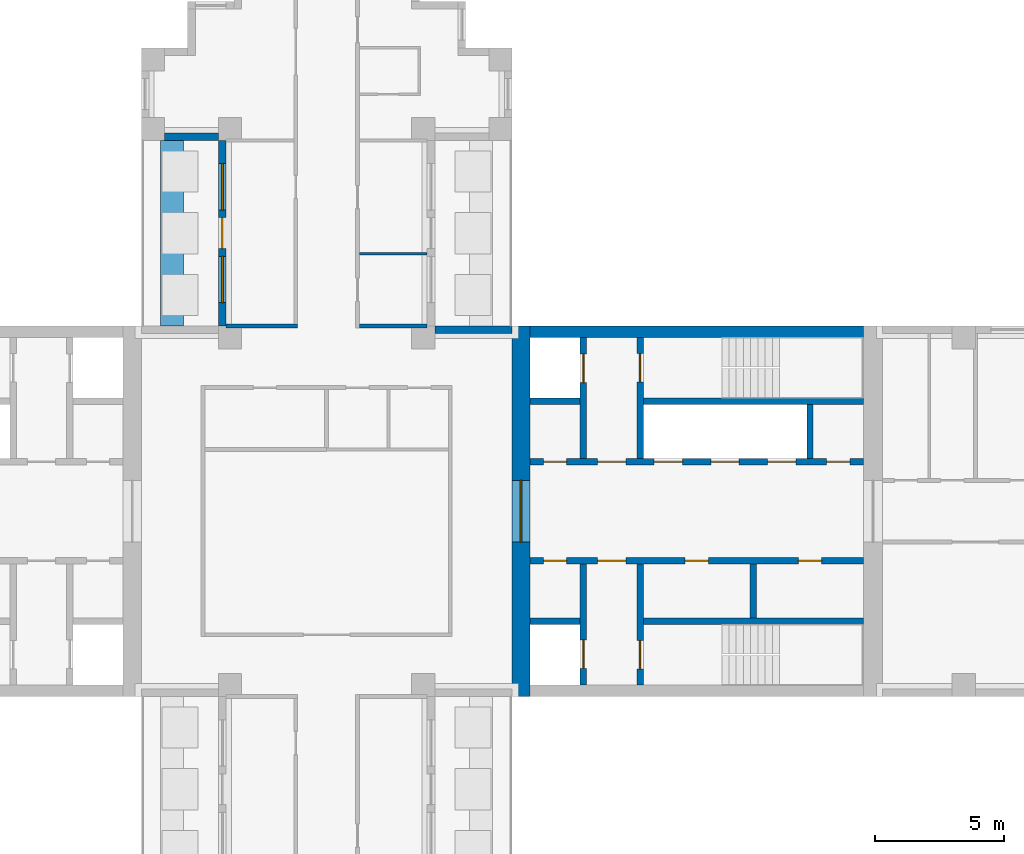
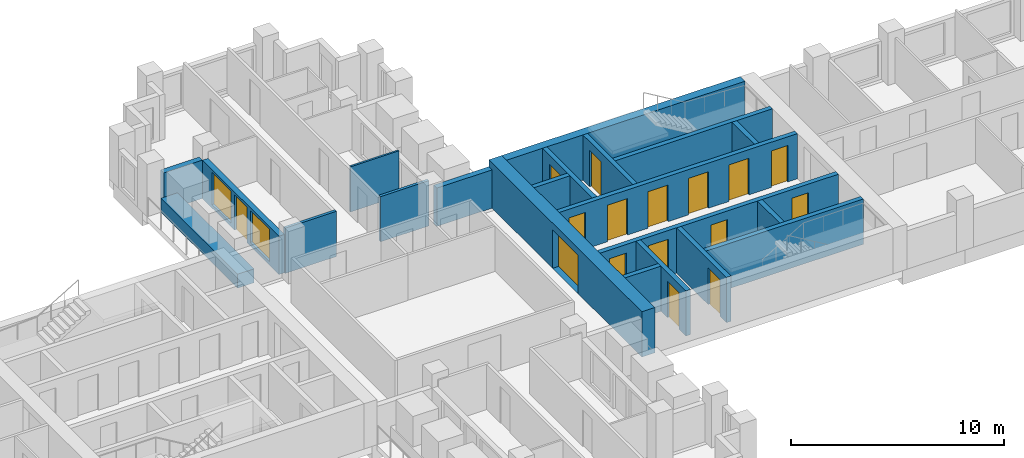
# One storey, part 6 of 11: 21 walls, 16 doors, 2 windows, 18 openings.
"""IFC4 building model written with IfcOpenShell, lengths in metres."""

from ifc_helpers import new_model, si_unit, direction, frame, frame_2d, origin, place, context, subcontext, project, spatial, rectangle, extrude, material, layer, layer_set, type_object, element, fill, save


model = new_model("IFC4")

# Units and contexts
model_context = context("Model", 3, precision=1e-05, world=origin(), true_north=direction((0.0, 1.0)))
body_context = subcontext(model_context, "Body", "Model", "MODEL_VIEW")
ifc_project = project(units=[si_unit("LENGTHUNIT", "METRE"), si_unit("AREAUNIT", "SQUARE_METRE"), si_unit("VOLUMEUNIT", "CUBIC_METRE"), si_unit("PLANEANGLEUNIT", "RADIAN"), si_unit("MASSUNIT", "GRAM", prefix="KILO")], contexts=[model_context])

# Site, building, storey
site_placement = place(None, origin())
site = spatial("IfcSite", under=ifc_project, at=site_placement, CompositionType="ELEMENT")
building_placement = place(site_placement, origin())
building = spatial("IfcBuilding", under=site, at=building_placement, Name="Fustian Cross Tower", CompositionType="ELEMENT")
storey_placement = place(building_placement, frame((0.0, 0.0, 144.300048828125)))
storey = spatial("IfcBuildingStorey", under=building, at=storey_placement, Name="L45", CompositionType="ELEMENT", Elevation=144.300048828125)

# Walls
ifc_material_1 = material(Name="Plasterboard on steel stud", Category="steel")
ifc_layer_1 = layer(ifc_material_1, 0.14990234375)
ifc_layer_set_1 = layer_set([ifc_layer_1], Name="Plasterboard on steel stud")
wall_type_1 = type_object("IfcWallType", Name="COMPARTMENT WALL 150 EI 60", PredefinedType="PARTITIONING", material=ifc_layer_set_1)
wall_1_placement = place(storey_placement, frame((-3.89990234375, 7.199951171875, 0.0), z_axis=(0.0, 0.0, 1.0), x_axis=(1.0, 0.0, 0.0)))
element("IfcWall", 1, at=wall_1_placement, inside=storey, type_object=wall_type_1, Name="Partition 18", PredefinedType="PARTITIONING", context=body_context, shape_type="SweptSolid", body=[
    extrude(rectangle(XDim=2.77490234375, YDim=0.14990234375, at=frame_2d((1.387451171875, 0.0))), origin(), (0.0, 0.0, 1.0), 2.599853515625),
])
wall_2_placement = place(storey_placement, frame((1.27490234375, 7.199951171875, 0.0), z_axis=(0.0, 0.0, 1.0), x_axis=(1.0, 0.0, 0.0)))
element("IfcWall", 2, at=wall_2_placement, inside=storey, type_object=wall_type_1, Name="Partition 28", PredefinedType="PARTITIONING", context=body_context, shape_type="SweptSolid", body=[
    extrude(rectangle(XDim=2.625, YDim=0.14990234375, at=frame_2d((1.3125, 0.0))), origin(), (0.0, 0.0, 1.0), 2.599853515625),
])

# Wall, opening, door
ifc_material_2 = material(Name="Concrete C60/75", Category="concrete")
ifc_layer_2 = layer(ifc_material_2, 0.699951171875)
ifc_layer_set_2 = layer_set([ifc_layer_2], Name="Concrete C60/75")
wall_type_2 = type_object("IfcWallType", Name="CORE END WALL 700 C60/75", PredefinedType="SHEAR", material=ifc_layer_set_2)
wall_3_placement = place(storey_placement, frame((7.550048828125, -7.199951171875, 0.0), z_axis=(0.0, 0.0, 1.0), x_axis=(0.0, 1.0, 0.0)))
wall_3 = element("IfcWall", 3, at=wall_3_placement, inside=storey, type_object=wall_type_2, Name="Core end wall", PredefinedType="SHEAR", context=body_context, shape_type="SweptSolid", body=[
    extrude(rectangle(XDim=14.39990234375, YDim=0.699951171875, at=frame_2d((7.199951171875, 0.0))), origin(), (0.0, 0.0, 1.0), 2.599853515625),
])
opening_1_placement = place(wall_3_placement, frame((6.0, 0.0, 0.0)))
opening_1 = element("IfcOpeningElement", 4, at=opening_1_placement, cuts=wall_3, Name="Opening CD-18-12", PredefinedType="OPENING", context=body_context, shape_type="SweptSolid", body=[
    extrude(rectangle(XDim=2.39990234375, YDim=2.199951171875, at=frame_2d((1.199951171875, 1.10009765625))), frame((0.0, 0.35986328125, 0.0), z_axis=(0.0, -1.0, 0.0), x_axis=(1.0, 0.0, 0.0)), (0.0, 0.0, 1.0), 0.719970703125),
])
ifc_material_3 = material(Name="Steel", Category="steel")
door_type_1 = type_object("IfcDoorType", Name="FIRE DOOR FD30S DOUBLE 2400X2200", OperationType="DOUBLE_DOOR_DOUBLE_SWING", PredefinedType="DOOR", material=ifc_material_3)
door_1_placement = place(opening_1_placement, origin())
door_1 = element("IfcDoor", 5, at=door_1_placement, inside=storey, type_object=door_type_1, Name="Core door CD-18-12", OperationType="DOUBLE_DOOR_DOUBLE_SWING", OverallHeight=2.199951171875, OverallWidth=2.39990234375, PredefinedType="DOOR", context=body_context, shape_type="SweptSolid", body=[
    extrude(rectangle(XDim=2.39990234375, YDim=2.199951171875, at=frame_2d((1.199951171875, 1.10009765625))), frame((0.0, 0.02490234375, 0.0), z_axis=(0.0, -1.0, 0.0), x_axis=(1.0, 0.0, 0.0)), (0.0, 0.0, 1.0), 0.050048828125),
])
fill(opening_1, door_1)

# Wall
ifc_material_4 = material(Name="Concrete C60/75", Category="concrete")
ifc_layer_3 = layer(ifc_material_4, 0.449951171875)
ifc_layer_set_3 = layer_set([ifc_layer_3], Name="Concrete C60/75")
wall_type_3 = type_object("IfcWallType", Name="CORE FACADE WALL 450 C60/75", PredefinedType="SHEAR", material=ifc_layer_set_3)
wall_4_placement = place(storey_placement, frame((7.89990234375, 6.97509765625, 0.0), z_axis=(0.0, 0.0, 1.0), x_axis=(1.0, 0.0, 0.0)))
element("IfcWall", 6, at=wall_4_placement, inside=storey, type_object=wall_type_3, Name="Core facade wall", PredefinedType="SHEAR", context=body_context, shape_type="SweptSolid", body=[
    extrude(rectangle(XDim=12.9501953125, YDim=0.449951171875, at=frame_2d((6.47509765625, 0.0))), origin(), (0.0, 0.0, 1.0), 2.599853515625),
])

# Wall, openings, doors
ifc_material_5 = material(Name="Concrete C50/60", Category="concrete")
ifc_layer_4 = layer(ifc_material_5, 0.25)
ifc_layer_set_4 = layer_set([ifc_layer_4], Name="Concrete C50/60")
wall_type_4 = type_object("IfcWallType", Name="CORE LOBBY WALL 250 C50/60", PredefinedType="SHEAR", material=ifc_layer_set_4)
wall_5_placement = place(storey_placement, frame((7.89990234375, 1.925048828125, 0.0), z_axis=(0.0, 0.0, 1.0), x_axis=(1.0, 0.0, 0.0)))
wall_5 = element("IfcWall", 7, at=wall_5_placement, inside=storey, type_object=wall_type_4, Name="Core lobby wall", PredefinedType="SHEAR", context=body_context, shape_type="SweptSolid", body=[
    extrude(rectangle(XDim=12.9501953125, YDim=0.25, at=frame_2d((6.47509765625, 0.0))), origin(), (0.0, 0.0, 1.0), 2.599853515625),
])
opening_2_placement = place(wall_5_placement, frame((4.824951171875, 0.0, 0.0)))
opening_2 = element("IfcOpeningElement", 8, at=opening_2_placement, cuts=wall_5, Name="Opening LD", PredefinedType="OPENING", context=body_context, shape_type="SweptSolid", body=[
    extrude(rectangle(XDim=1.10009765625, YDim=2.10009765625, at=frame_2d((0.550048828125, 1.050048828125))), frame((0.0, 0.135009765625, 0.0), z_axis=(0.0, -1.0, 0.0), x_axis=(1.0, 0.0, 0.0)), (0.0, 0.0, 1.0), 0.27001953125),
])
opening_3_placement = place(wall_5_placement, frame((7.02490234375, 0.0, 0.0)))
opening_3 = element("IfcOpeningElement", 9, at=opening_3_placement, cuts=wall_5, Name="Opening LD", PredefinedType="OPENING", context=body_context, shape_type="SweptSolid", body=[
    extrude(rectangle(XDim=1.10009765625, YDim=2.10009765625, at=frame_2d((0.550048828125, 1.050048828125))), frame((0.0, 0.135009765625, 0.0), z_axis=(0.0, -1.0, 0.0), x_axis=(1.0, 0.0, 0.0)), (0.0, 0.0, 1.0), 0.27001953125),
])
opening_4_placement = place(wall_5_placement, frame((9.22509765625, 0.0, 0.0)))
opening_4 = element("IfcOpeningElement", 10, at=opening_4_placement, cuts=wall_5, Name="Opening LD", PredefinedType="OPENING", context=body_context, shape_type="SweptSolid", body=[
    extrude(rectangle(XDim=1.10009765625, YDim=2.10009765625, at=frame_2d((0.550048828125, 1.050048828125))), frame((0.0, 0.135009765625, 0.0), z_axis=(0.0, -1.0, 0.0), x_axis=(1.0, 0.0, 0.0)), (0.0, 0.0, 1.0), 0.27001953125),
])
opening_5_placement = place(wall_5_placement, frame((0.52490234375, 0.0, 0.0)))
opening_5 = element("IfcOpeningElement", 11, at=opening_5_placement, cuts=wall_5, Name="Opening CD-18-08", PredefinedType="OPENING", context=body_context, shape_type="SweptSolid", body=[
    extrude(rectangle(XDim=0.89990234375, YDim=2.10009765625, at=frame_2d((0.449951171875, 1.050048828125))), frame((0.0, 0.135009765625, 0.0), z_axis=(0.0, -1.0, 0.0), x_axis=(1.0, 0.0, 0.0)), (0.0, 0.0, 1.0), 0.27001953125),
])
opening_6_placement = place(wall_5_placement, frame((2.625, 0.0, 0.0)))
opening_6 = element("IfcOpeningElement", 12, at=opening_6_placement, cuts=wall_5, Name="Opening CD-18-10", PredefinedType="OPENING", context=body_context, shape_type="SweptSolid", body=[
    extrude(rectangle(XDim=1.10009765625, YDim=2.10009765625, at=frame_2d((0.550048828125, 1.050048828125))), frame((0.0, 0.135009765625, 0.0), z_axis=(0.0, -1.0, 0.0), x_axis=(1.0, 0.0, 0.0)), (0.0, 0.0, 1.0), 0.27001953125),
])
opening_7_placement = place(wall_5_placement, frame((11.52490234375, 0.0, 0.0)))
opening_7 = element("IfcOpeningElement", 13, at=opening_7_placement, cuts=wall_5, Name="Opening CD-18-14", PredefinedType="OPENING", context=body_context, shape_type="SweptSolid", body=[
    extrude(rectangle(XDim=0.89990234375, YDim=2.10009765625, at=frame_2d((0.449951171875, 1.050048828125))), frame((0.0, 0.135009765625, 0.0), z_axis=(0.0, -1.0, 0.0), x_axis=(1.0, 0.0, 0.0)), (0.0, 0.0, 1.0), 0.27001953125),
])
ifc_material_6 = material(Name="Steel", Category="steel")
door_type_2 = type_object("IfcDoorType", Name="FIRE DOOR FD30S 900X2100", OperationType="SINGLE_SWING_LEFT", PredefinedType="DOOR", material=ifc_material_6)
door_2_placement = place(opening_7_placement, origin())
door_2 = element("IfcDoor", 14, at=door_2_placement, inside=storey, type_object=door_type_2, Name="Core door CD-18-14", OperationType="SINGLE_SWING_LEFT", OverallHeight=2.10009765625, OverallWidth=0.89990234375, PredefinedType="DOOR", context=body_context, shape_type="SweptSolid", body=[
    extrude(rectangle(XDim=0.89990234375, YDim=2.10009765625, at=frame_2d((0.449951171875, 1.050048828125))), frame((0.0, 0.02490234375, 0.0), z_axis=(0.0, -1.0, 0.0), x_axis=(1.0, 0.0, 0.0)), (0.0, 0.0, 1.0), 0.050048828125),
])
fill(opening_7, door_2)
ifc_material_7 = material(Name="Steel", Category="steel")
door_type_3 = type_object("IfcDoorType", Name="FIRE DOOR FD60S 1100X2100", OperationType="SINGLE_SWING_LEFT", PredefinedType="DOOR", material=ifc_material_7)
door_3_placement = place(opening_6_placement, frame((1.10009765625, 0.0, 0.0), z_axis=(0.0, 0.0, 1.0), x_axis=(-1.0, 0.0, 0.0)))
door_3 = element("IfcDoor", 15, at=door_3_placement, inside=storey, type_object=door_type_3, Name="Core door CD-18-10", OperationType="SINGLE_SWING_RIGHT", OverallHeight=2.10009765625, OverallWidth=1.10009765625, PredefinedType="DOOR", context=body_context, shape_type="SweptSolid", body=[
    extrude(rectangle(XDim=1.10009765625, YDim=2.10009765625, at=frame_2d((0.550048828125, 1.050048828125))), frame((0.0, 0.02490234375, 0.0), z_axis=(0.0, -1.0, 0.0), x_axis=(1.0, 0.0, 0.0)), (0.0, 0.0, 1.0), 0.050048828125),
])
fill(opening_6, door_3)
ifc_material_8 = material(Name="Steel", Category="steel")
door_type_4 = type_object("IfcDoorType", Name="FIRE DOOR FD60S 900X2100", OperationType="SINGLE_SWING_LEFT", PredefinedType="DOOR", material=ifc_material_8)
door_4_placement = place(opening_5_placement, origin())
door_4 = element("IfcDoor", 16, at=door_4_placement, inside=storey, type_object=door_type_4, Name="Core door CD-18-08", OperationType="SINGLE_SWING_LEFT", OverallHeight=2.10009765625, OverallWidth=0.89990234375, PredefinedType="DOOR", context=body_context, shape_type="SweptSolid", body=[
    extrude(rectangle(XDim=0.89990234375, YDim=2.10009765625, at=frame_2d((0.449951171875, 1.050048828125))), frame((0.0, 0.02490234375, 0.0), z_axis=(0.0, -1.0, 0.0), x_axis=(1.0, 0.0, 0.0)), (0.0, 0.0, 1.0), 0.050048828125),
])
fill(opening_5, door_4)
ifc_material_9 = material(Name="Stainless steel", Category="steel")
door_type_5 = type_object("IfcDoorType", Name="LIFT LANDING DOOR 1100X2100", OperationType="SLIDING_TO_LEFT", PredefinedType="DOOR", material=ifc_material_9)
door_5_placement = place(opening_2_placement, origin())
door_5 = element("IfcDoor", 17, at=door_5_placement, inside=storey, type_object=door_type_5, Name="Landing door HR1", OperationType="SLIDING_TO_LEFT", OverallHeight=2.10009765625, OverallWidth=1.10009765625, PredefinedType="DOOR", context=body_context, shape_type="SweptSolid", body=[
    extrude(rectangle(XDim=1.10009765625, YDim=2.10009765625, at=frame_2d((0.550048828125, 1.050048828125))), frame((0.0, 0.02490234375, 0.0), z_axis=(0.0, -1.0, 0.0), x_axis=(1.0, 0.0, 0.0)), (0.0, 0.0, 1.0), 0.050048828125),
])
fill(opening_2, door_5)
door_6_placement = place(opening_3_placement, origin())
door_6 = element("IfcDoor", 18, at=door_6_placement, inside=storey, type_object=door_type_5, Name="Landing door HR2", OperationType="SLIDING_TO_LEFT", OverallHeight=2.10009765625, OverallWidth=1.10009765625, PredefinedType="DOOR", context=body_context, shape_type="SweptSolid", body=[
    extrude(rectangle(XDim=1.10009765625, YDim=2.10009765625, at=frame_2d((0.550048828125, 1.050048828125))), frame((0.0, 0.02490234375, 0.0), z_axis=(0.0, -1.0, 0.0), x_axis=(1.0, 0.0, 0.0)), (0.0, 0.0, 1.0), 0.050048828125),
])
fill(opening_3, door_6)
door_7_placement = place(opening_4_placement, origin())
door_7 = element("IfcDoor", 19, at=door_7_placement, inside=storey, type_object=door_type_5, Name="Landing door HR3", OperationType="SLIDING_TO_LEFT", OverallHeight=2.10009765625, OverallWidth=1.10009765625, PredefinedType="DOOR", context=body_context, shape_type="SweptSolid", body=[
    extrude(rectangle(XDim=1.10009765625, YDim=2.10009765625, at=frame_2d((0.550048828125, 1.050048828125))), frame((0.0, 0.02490234375, 0.0), z_axis=(0.0, -1.0, 0.0), x_axis=(1.0, 0.0, 0.0)), (0.0, 0.0, 1.0), 0.050048828125),
])
fill(opening_4, door_7)

wall_6_placement = place(storey_placement, frame((7.89990234375, -1.925048828125, 0.0), z_axis=(0.0, 0.0, 1.0), x_axis=(1.0, 0.0, 0.0)))
wall_6 = element("IfcWall", 20, at=wall_6_placement, inside=storey, type_object=wall_type_4, Name="Core lobby wall", PredefinedType="SHEAR", context=body_context, shape_type="SweptSolid", body=[
    extrude(rectangle(XDim=12.9501953125, YDim=0.25, at=frame_2d((6.47509765625, 0.0))), origin(), (0.0, 0.0, 1.0), 2.599853515625),
])
opening_8_placement = place(wall_6_placement, frame((0.52490234375, 0.0, 0.0)))
opening_8 = element("IfcOpeningElement", 21, at=opening_8_placement, cuts=wall_6, Name="Opening CD-18-09", PredefinedType="OPENING", context=body_context, shape_type="SweptSolid", body=[
    extrude(rectangle(XDim=0.89990234375, YDim=2.10009765625, at=frame_2d((0.449951171875, 1.050048828125))), frame((0.0, 0.135009765625, 0.0), z_axis=(0.0, -1.0, 0.0), x_axis=(1.0, 0.0, 0.0)), (0.0, 0.0, 1.0), 0.27001953125),
])
opening_9_placement = place(wall_6_placement, frame((2.625, 0.0, 0.0)))
opening_9 = element("IfcOpeningElement", 22, at=opening_9_placement, cuts=wall_6, Name="Opening CD-18-11", PredefinedType="OPENING", context=body_context, shape_type="SweptSolid", body=[
    extrude(rectangle(XDim=1.10009765625, YDim=2.10009765625, at=frame_2d((0.550048828125, 1.050048828125))), frame((0.0, 0.135009765625, 0.0), z_axis=(0.0, -1.0, 0.0), x_axis=(1.0, 0.0, 0.0)), (0.0, 0.0, 1.0), 0.27001953125),
])
opening_10_placement = place(wall_6_placement, frame((6.02490234375, 0.0, 0.0)))
opening_10 = element("IfcOpeningElement", 23, at=opening_10_placement, cuts=wall_6, Name="Opening CD-18-15", PredefinedType="OPENING", context=body_context, shape_type="SweptSolid", body=[
    extrude(rectangle(XDim=0.89990234375, YDim=2.10009765625, at=frame_2d((0.449951171875, 1.050048828125))), frame((0.0, 0.135009765625, 0.0), z_axis=(0.0, -1.0, 0.0), x_axis=(1.0, 0.0, 0.0)), (0.0, 0.0, 1.0), 0.27001953125),
])
opening_11_placement = place(wall_6_placement, frame((10.425048828125, 0.0, 0.0)))
opening_11 = element("IfcOpeningElement", 24, at=opening_11_placement, cuts=wall_6, Name="Opening CD-18-16", PredefinedType="OPENING", context=body_context, shape_type="SweptSolid", body=[
    extrude(rectangle(XDim=0.89990234375, YDim=2.10009765625, at=frame_2d((0.449951171875, 1.050048828125))), frame((0.0, 0.135009765625, 0.0), z_axis=(0.0, -1.0, 0.0), x_axis=(1.0, 0.0, 0.0)), (0.0, 0.0, 1.0), 0.27001953125),
])
ifc_material_10 = material(Name="Steel", Category="steel")
door_type_6 = type_object("IfcDoorType", Name="FIRE DOOR FD30S 1100X2100", OperationType="SINGLE_SWING_LEFT", PredefinedType="DOOR", material=ifc_material_10)
door_8_placement = place(opening_9_placement, frame((1.10009765625, 0.0, 0.0), z_axis=(0.0, 0.0, 1.0), x_axis=(-1.0, 0.0, 0.0)))
door_8 = element("IfcDoor", 25, at=door_8_placement, inside=storey, type_object=door_type_6, Name="Core door CD-18-11", OperationType="SINGLE_SWING_RIGHT", OverallHeight=2.10009765625, OverallWidth=1.10009765625, PredefinedType="DOOR", context=body_context, shape_type="SweptSolid", body=[
    extrude(rectangle(XDim=1.10009765625, YDim=2.10009765625, at=frame_2d((0.550048828125, 1.050048828125))), frame((0.0, 0.02490234375, 0.0), z_axis=(0.0, -1.0, 0.0), x_axis=(1.0, 0.0, 0.0)), (0.0, 0.0, 1.0), 0.050048828125),
])
fill(opening_9, door_8)
door_9_placement = place(opening_8_placement, frame((0.89990234375, 0.0, 0.0), z_axis=(0.0, 0.0, 1.0), x_axis=(-1.0, 0.0, 0.0)))
door_9 = element("IfcDoor", 26, at=door_9_placement, inside=storey, type_object=door_type_2, Name="Core door CD-18-09", OperationType="SINGLE_SWING_RIGHT", OverallHeight=2.10009765625, OverallWidth=0.89990234375, PredefinedType="DOOR", context=body_context, shape_type="SweptSolid", body=[
    extrude(rectangle(XDim=0.89990234375, YDim=2.10009765625, at=frame_2d((0.449951171875, 1.050048828125))), frame((0.0, 0.02490234375, 0.0), z_axis=(0.0, -1.0, 0.0), x_axis=(1.0, 0.0, 0.0)), (0.0, 0.0, 1.0), 0.050048828125),
])
fill(opening_8, door_9)
door_10_placement = place(opening_10_placement, frame((0.89990234375, 0.0, 0.0), z_axis=(0.0, 0.0, 1.0), x_axis=(-1.0, 0.0, 0.0)))
door_10 = element("IfcDoor", 27, at=door_10_placement, inside=storey, type_object=door_type_2, Name="Core door CD-18-15", OperationType="SINGLE_SWING_LEFT", OverallHeight=2.10009765625, OverallWidth=0.89990234375, PredefinedType="DOOR", context=body_context, shape_type="SweptSolid", body=[
    extrude(rectangle(XDim=0.89990234375, YDim=2.10009765625, at=frame_2d((0.449951171875, 1.050048828125))), frame((0.0, 0.02490234375, 0.0), z_axis=(0.0, -1.0, 0.0), x_axis=(1.0, 0.0, 0.0)), (0.0, 0.0, 1.0), 0.050048828125),
])
fill(opening_10, door_10)
door_11_placement = place(opening_11_placement, frame((0.89990234375, 0.0, 0.0), z_axis=(0.0, 0.0, 1.0), x_axis=(-1.0, 0.0, 0.0)))
door_11 = element("IfcDoor", 28, at=door_11_placement, inside=storey, type_object=door_type_2, Name="Core door CD-18-16", OperationType="SINGLE_SWING_LEFT", OverallHeight=2.10009765625, OverallWidth=0.89990234375, PredefinedType="DOOR", context=body_context, shape_type="SweptSolid", body=[
    extrude(rectangle(XDim=0.89990234375, YDim=2.10009765625, at=frame_2d((0.449951171875, 1.050048828125))), frame((0.0, 0.02490234375, 0.0), z_axis=(0.0, -1.0, 0.0), x_axis=(1.0, 0.0, 0.0)), (0.0, 0.0, 1.0), 0.050048828125),
])
fill(opening_11, door_11)

# Walls
ifc_material_11 = material(Name="Concrete C50/60", Category="concrete")
ifc_layer_5 = layer(ifc_material_11, 0.25)
ifc_layer_set_5 = layer_set([ifc_layer_5], Name="Concrete C50/60")
wall_type_5 = type_object("IfcWallType", Name="CORE SHAFT WALL 250 C50/60", PredefinedType="SHEAR", material=ifc_layer_set_5)
wall_7_placement = place(storey_placement, frame((7.89990234375, 4.27490234375, 0.0), z_axis=(0.0, 0.0, 1.0), x_axis=(1.0, 0.0, 0.0)))
element("IfcWall", 29, at=wall_7_placement, inside=storey, type_object=wall_type_5, Name="Core shaft wall", PredefinedType="SHEAR", context=body_context, shape_type="SweptSolid", body=[
    extrude(rectangle(XDim=1.9501953125, YDim=0.25, at=frame_2d((0.97509765625, 0.0))), origin(), (0.0, 0.0, 1.0), 2.599853515625),
])
wall_8_placement = place(storey_placement, frame((12.300048828125, 4.27490234375, 0.0), z_axis=(0.0, 0.0, 1.0), x_axis=(1.0, 0.0, 0.0)))
element("IfcWall", 30, at=wall_8_placement, inside=storey, type_object=wall_type_5, Name="Core shaft wall", PredefinedType="SHEAR", context=body_context, shape_type="SweptSolid", body=[
    extrude(rectangle(XDim=8.550048828125, YDim=0.25, at=frame_2d((4.27490234375, 0.0))), origin(), (0.0, 0.0, 1.0), 2.599853515625),
])

# Wall, opening, door
wall_9_placement = place(storey_placement, frame((9.97509765625, 2.050048828125, 0.0), z_axis=(0.0, 0.0, 1.0), x_axis=(0.0, 1.0, 0.0)))
wall_9 = element("IfcWall", 31, at=wall_9_placement, inside=storey, type_object=wall_type_5, Name="Core shaft wall", PredefinedType="SHEAR", context=body_context, shape_type="SweptSolid", body=[
    extrude(rectangle(XDim=4.699951171875, YDim=0.25, at=frame_2d((2.35009765625, 0.0))), origin(), (0.0, 0.0, 1.0), 2.599853515625),
])
opening_12_placement = place(wall_9_placement, frame((2.949951171875, 0.0, 0.0)))
opening_12 = element("IfcOpeningElement", 32, at=opening_12_placement, cuts=wall_9, Name="Opening LD", PredefinedType="OPENING", context=body_context, shape_type="SweptSolid", body=[
    extrude(rectangle(XDim=1.10009765625, YDim=2.10009765625, at=frame_2d((0.550048828125, 1.050048828125))), frame((0.0, 0.135009765625, 0.0), z_axis=(0.0, -1.0, 0.0), x_axis=(1.0, 0.0, 0.0)), (0.0, 0.0, 1.0), 0.27001953125),
])
door_12_placement = place(opening_12_placement, origin())
door_12 = element("IfcDoor", 33, at=door_12_placement, inside=storey, type_object=door_type_5, Name="Landing door FL1", OperationType="SLIDING_TO_LEFT", OverallHeight=2.10009765625, OverallWidth=1.10009765625, PredefinedType="DOOR", context=body_context, shape_type="SweptSolid", body=[
    extrude(rectangle(XDim=1.10009765625, YDim=2.10009765625, at=frame_2d((0.550048828125, 1.050048828125))), frame((0.0, 0.02490234375, 0.0), z_axis=(0.0, -1.0, 0.0), x_axis=(1.0, 0.0, 0.0)), (0.0, 0.0, 1.0), 0.050048828125),
])
fill(opening_12, door_12)

wall_10_placement = place(storey_placement, frame((12.175048828125, 2.050048828125, 0.0), z_axis=(0.0, 0.0, 1.0), x_axis=(0.0, 1.0, 0.0)))
wall_10 = element("IfcWall", 34, at=wall_10_placement, inside=storey, type_object=wall_type_5, Name="Core shaft wall", PredefinedType="SHEAR", context=body_context, shape_type="SweptSolid", body=[
    extrude(rectangle(XDim=4.699951171875, YDim=0.25, at=frame_2d((2.35009765625, 0.0))), origin(), (0.0, 0.0, 1.0), 2.599853515625),
])
opening_13_placement = place(wall_10_placement, frame((2.97509765625, 0.0, 0.0)))
opening_13 = element("IfcOpeningElement", 35, at=opening_13_placement, cuts=wall_10, Name="Opening CD-18-06", PredefinedType="OPENING", context=body_context, shape_type="SweptSolid", body=[
    extrude(rectangle(XDim=1.10009765625, YDim=2.10009765625, at=frame_2d((0.550048828125, 1.050048828125))), frame((0.0, 0.135009765625, 0.0), z_axis=(0.0, -1.0, 0.0), x_axis=(1.0, 0.0, 0.0)), (0.0, 0.0, 1.0), 0.27001953125),
])
door_13_placement = place(opening_13_placement, frame((1.10009765625, 0.0, 0.0), z_axis=(0.0, 0.0, 1.0), x_axis=(-1.0, 0.0, 0.0)))
door_13 = element("IfcDoor", 36, at=door_13_placement, inside=storey, type_object=door_type_3, Name="Core door CD-18-06", OperationType="SINGLE_SWING_RIGHT", OverallHeight=2.10009765625, OverallWidth=1.10009765625, PredefinedType="DOOR", context=body_context, shape_type="SweptSolid", body=[
    extrude(rectangle(XDim=1.10009765625, YDim=2.10009765625, at=frame_2d((0.550048828125, 1.050048828125))), frame((0.0, 0.02490234375, 0.0), z_axis=(0.0, -1.0, 0.0), x_axis=(1.0, 0.0, 0.0)), (0.0, 0.0, 1.0), 0.050048828125),
])
fill(opening_13, door_13)

# Walls
wall_11_placement = place(storey_placement, frame((7.89990234375, -4.27490234375, 0.0), z_axis=(0.0, 0.0, 1.0), x_axis=(1.0, 0.0, 0.0)))
element("IfcWall", 37, at=wall_11_placement, inside=storey, type_object=wall_type_5, Name="Core shaft wall", PredefinedType="SHEAR", context=body_context, shape_type="SweptSolid", body=[
    extrude(rectangle(XDim=1.9501953125, YDim=0.25, at=frame_2d((0.97509765625, 0.0))), origin(), (0.0, 0.0, 1.0), 2.599853515625),
])
wall_12_placement = place(storey_placement, frame((12.300048828125, -4.27490234375, 0.0), z_axis=(0.0, 0.0, 1.0), x_axis=(1.0, 0.0, 0.0)))
element("IfcWall", 38, at=wall_12_placement, inside=storey, type_object=wall_type_5, Name="Core shaft wall", PredefinedType="SHEAR", context=body_context, shape_type="SweptSolid", body=[
    extrude(rectangle(XDim=8.550048828125, YDim=0.25, at=frame_2d((4.27490234375, 0.0))), origin(), (0.0, 0.0, 1.0), 2.599853515625),
])

# Wall, opening, door
wall_13_placement = place(storey_placement, frame((9.97509765625, -2.050048828125, 0.0), z_axis=(0.0, 0.0, 1.0), x_axis=(0.0, -1.0, 0.0)))
wall_13 = element("IfcWall", 39, at=wall_13_placement, inside=storey, type_object=wall_type_5, Name="Core shaft wall", PredefinedType="SHEAR", context=body_context, shape_type="SweptSolid", body=[
    extrude(rectangle(XDim=4.699951171875, YDim=0.25, at=frame_2d((2.35009765625, 0.0))), origin(), (0.0, 0.0, 1.0), 2.599853515625),
])
opening_14_placement = place(wall_13_placement, frame((2.949951171875, 0.0, 0.0)))
opening_14 = element("IfcOpeningElement", 40, at=opening_14_placement, cuts=wall_13, Name="Opening LD", PredefinedType="OPENING", context=body_context, shape_type="SweptSolid", body=[
    extrude(rectangle(XDim=1.10009765625, YDim=2.10009765625, at=frame_2d((0.550048828125, 1.050048828125))), frame((0.0, 0.135009765625, 0.0), z_axis=(0.0, -1.0, 0.0), x_axis=(1.0, 0.0, 0.0)), (0.0, 0.0, 1.0), 0.27001953125),
])
door_14_placement = place(opening_14_placement, origin())
door_14 = element("IfcDoor", 41, at=door_14_placement, inside=storey, type_object=door_type_5, Name="Landing door SV1", OperationType="SLIDING_TO_LEFT", OverallHeight=2.10009765625, OverallWidth=1.10009765625, PredefinedType="DOOR", context=body_context, shape_type="SweptSolid", body=[
    extrude(rectangle(XDim=1.10009765625, YDim=2.10009765625, at=frame_2d((0.550048828125, 1.050048828125))), frame((0.0, 0.02490234375, 0.0), z_axis=(0.0, -1.0, 0.0), x_axis=(1.0, 0.0, 0.0)), (0.0, 0.0, 1.0), 0.050048828125),
])
fill(opening_14, door_14)

wall_14_placement = place(storey_placement, frame((12.175048828125, -2.050048828125, 0.0), z_axis=(0.0, 0.0, 1.0), x_axis=(0.0, -1.0, 0.0)))
wall_14 = element("IfcWall", 42, at=wall_14_placement, inside=storey, type_object=wall_type_5, Name="Core shaft wall", PredefinedType="SHEAR", context=body_context, shape_type="SweptSolid", body=[
    extrude(rectangle(XDim=4.699951171875, YDim=0.25, at=frame_2d((2.35009765625, 0.0))), origin(), (0.0, 0.0, 1.0), 2.599853515625),
])
opening_15_placement = place(wall_14_placement, frame((2.97509765625, 0.0, 0.0)))
opening_15 = element("IfcOpeningElement", 43, at=opening_15_placement, cuts=wall_14, Name="Opening CD-18-07", PredefinedType="OPENING", context=body_context, shape_type="SweptSolid", body=[
    extrude(rectangle(XDim=1.10009765625, YDim=2.10009765625, at=frame_2d((0.550048828125, 1.050048828125))), frame((0.0, 0.135009765625, 0.0), z_axis=(0.0, -1.0, 0.0), x_axis=(1.0, 0.0, 0.0)), (0.0, 0.0, 1.0), 0.27001953125),
])
door_15_placement = place(opening_15_placement, origin())
door_15 = element("IfcDoor", 44, at=door_15_placement, inside=storey, type_object=door_type_3, Name="Core door CD-18-07", OperationType="SINGLE_SWING_LEFT", OverallHeight=2.10009765625, OverallWidth=1.10009765625, PredefinedType="DOOR", context=body_context, shape_type="SweptSolid", body=[
    extrude(rectangle(XDim=1.10009765625, YDim=2.10009765625, at=frame_2d((0.550048828125, 1.050048828125))), frame((0.0, 0.02490234375, 0.0), z_axis=(0.0, -1.0, 0.0), x_axis=(1.0, 0.0, 0.0)), (0.0, 0.0, 1.0), 0.050048828125),
])
fill(opening_15, door_15)

# Walls
ifc_material_12 = material(Name="Plasterboard on steel stud", Category="steel")
ifc_layer_6 = layer(ifc_material_12, 0.10009765625)
ifc_layer_set_6 = layer_set([ifc_layer_6], Name="Plasterboard on steel stud")
wall_type_6 = type_object("IfcWallType", Name="PARTITION 100 STUD", PredefinedType="PARTITIONING", material=ifc_layer_set_6)
wall_15_placement = place(storey_placement, frame((1.27490234375, 10.0, 0.0), z_axis=(0.0, 0.0, 1.0), x_axis=(1.0, 0.0, 0.0)))
element("IfcWall", 45, at=wall_15_placement, inside=storey, type_object=wall_type_6, Name="Partition 29", PredefinedType="PARTITIONING", context=body_context, shape_type="SweptSolid", body=[
    extrude(rectangle(XDim=2.625, YDim=0.10009765625, at=frame_2d((1.3125, 0.0))), origin(), (0.0, 0.0, 1.0), 2.599853515625),
])
ifc_material_13 = material(Name="Concrete C40/50", Category="concrete")
ifc_layer_7 = layer(ifc_material_13, 0.89990234375)
ifc_layer_set_7 = layer_set([ifc_layer_7], Name="Concrete C40/50")
wall_type_7 = type_object("IfcWallType", Name="PK1 PLANTER 900", PredefinedType="PARAPET", material=ifc_layer_set_7)
wall_16_placement = place(storey_placement, frame((-6.0, 7.199951171875, 0.0), z_axis=(0.0, 0.0, 1.0), x_axis=(0.0, 1.0, 0.0)))
element("IfcWall", 46, at=wall_16_placement, inside=storey, type_object=wall_type_7, Name="PLANTER", PredefinedType="PARAPET", context=body_context, shape_type="SweptSolid", body=[
    extrude(rectangle(XDim=7.199951171875, YDim=0.89990234375, at=frame_2d((3.60009765625, 0.0))), origin(), (0.0, 0.0, 1.0), 0.800048828125),
])
ifc_material_14 = material(Name="Concrete C40/50", Category="concrete")
ifc_layer_8 = layer(ifc_material_14, 0.25)
ifc_layer_set_8 = layer_set([ifc_layer_8], Name="Concrete C40/50")
wall_type_8 = type_object("IfcWallType", Name="SHAFT PARTITION WALL 250 C40/50", PredefinedType="PARTITIONING", material=ifc_layer_set_8)
for number, where, z_axis, x_axis, name in (
    (47, (18.77490234375, 2.050048828125, 0.0), (0.0, 0.0, 1.0), (0.0, 1.0, 0.0), "Core shaft wall"),
    (48, (16.574951171875, -2.050048828125, 0.0), (0.0, 0.0, 1.0), (0.0, -1.0, 0.0), "Core shaft wall"),
):
    element("IfcWall", number, at=place(storey_placement, frame(where, z_axis=z_axis, x_axis=x_axis)), inside=storey, type_object=wall_type_8, Name=name, PredefinedType="PARTITIONING", context=body_context, shape_type="SweptSolid", body=[
        extrude(rectangle(XDim=2.099853515625, YDim=0.25, at=frame_2d((1.0498046875, 0.0))), origin(), (0.0, 0.0, 1.0), 2.599853515625),
    ])
ifc_material_15 = material(Name="Dark aluminium cladding on insulated backing wall", Category="aluminium")
ifc_layer_9 = layer(ifc_material_15, 0.300048828125)
ifc_layer_set_9 = layer_set([ifc_layer_9], Name="Dark aluminium cladding on insulated backing wall")
wall_type_9 = type_object("IfcWallType", Name="XW1 EXTERNAL WALL 300", PredefinedType="SOLIDWALL", material=ifc_layer_set_9)
wall_17_placement = place(storey_placement, frame((7.199951171875, 7.050048828125, 0.0), z_axis=(0.0, 0.0, 1.0), x_axis=(-1.0, 0.0, 0.0)))
element("IfcWall", 49, at=wall_17_placement, inside=storey, type_object=wall_type_9, Name="External wall", PredefinedType="SOLIDWALL", context=body_context, shape_type="SweptSolid", body=[
    extrude(rectangle(XDim=3.0, YDim=0.300048828125, at=frame_2d((1.5, 0.0))), origin(), (0.0, 0.0, 1.0), 2.199951171875),
])
wall_18_placement = place(storey_placement, frame((-6.300048828125, 14.550048828125, 0.0), z_axis=(0.0, 0.0, 1.0), x_axis=(1.0, 0.0, 0.0)))
element("IfcWall", 50, at=wall_18_placement, inside=storey, type_object=wall_type_9, Name="External wall", PredefinedType="SOLIDWALL", context=body_context, shape_type="SweptSolid", body=[
    extrude(rectangle(XDim=2.10009765625, YDim=0.300048828125, at=frame_2d((1.050048828125, 0.0))), origin(), (0.0, 0.0, 1.0), 2.199951171875),
])

# Wall, openings, door, windows
wall_19_placement = place(storey_placement, frame((-4.050048828125, 14.39990234375, 0.0), z_axis=(0.0, 0.0, 1.0), x_axis=(0.0, -1.0, 0.0)))
wall_19 = element("IfcWall", 51, at=wall_19_placement, inside=storey, type_object=wall_type_9, Name="External wall", PredefinedType="SOLIDWALL", context=body_context, shape_type="SweptSolid", body=[
    extrude(rectangle(XDim=7.199951171875, YDim=0.300048828125, at=frame_2d((3.60009765625, 0.0))), origin(), (0.0, 0.0, 1.0), 2.199951171875),
])
opening_16_placement = place(wall_19_placement, frame((3.0, 0.0, 0.0)))
opening_16 = element("IfcOpeningElement", 52, at=opening_16_placement, cuts=wall_19, Name="Opening XD2", PredefinedType="OPENING", context=body_context, shape_type="SweptSolid", body=[
    extrude(rectangle(XDim=1.199951171875, YDim=2.050048828125, at=frame_2d((0.60009765625, 1.02490234375))), frame((0.0, 0.159912109375, 0.0), z_axis=(0.0, -1.0, 0.0), x_axis=(1.0, 0.0, 0.0)), (0.0, 0.0, 1.0), 0.320068359375),
])
opening_17_placement = place(wall_19_placement, frame((0.89990234375, 0.0, 0.199951171875)))
opening_17 = element("IfcOpeningElement", 53, at=opening_17_placement, cuts=wall_19, Name="Opening WN2", PredefinedType="OPENING", context=body_context, shape_type="SweptSolid", body=[
    extrude(rectangle(XDim=1.800048828125, YDim=1.85009765625, at=frame_2d((0.89990234375, 0.925048828125))), frame((0.0, 0.159912109375, 0.0), z_axis=(0.0, -1.0, 0.0), x_axis=(1.0, 0.0, 0.0)), (0.0, 0.0, 1.0), 0.320068359375),
])
opening_18_placement = place(wall_19_placement, frame((4.5, 0.0, 0.199951171875)))
opening_18 = element("IfcOpeningElement", 54, at=opening_18_placement, cuts=wall_19, Name="Opening WN2", PredefinedType="OPENING", context=body_context, shape_type="SweptSolid", body=[
    extrude(rectangle(XDim=1.800048828125, YDim=1.85009765625, at=frame_2d((0.89990234375, 0.925048828125))), frame((0.0, 0.159912109375, 0.0), z_axis=(0.0, -1.0, 0.0), x_axis=(1.0, 0.0, 0.0)), (0.0, 0.0, 1.0), 0.320068359375),
])
ifc_material_16 = material(Name="Dark anodised aluminium and double glazing", Category="aluminium")
door_type_7 = type_object("IfcDoorType", Name="ED1 BALCONY DOOR 1200X2050", OperationType="SINGLE_SWING_LEFT", PredefinedType="DOOR", material=ifc_material_16)
door_16_placement = place(opening_16_placement, origin())
door_16 = element("IfcDoor", 55, at=door_16_placement, inside=storey, type_object=door_type_7, Name="Balcony door", OperationType="SINGLE_SWING_LEFT", OverallHeight=2.050048828125, OverallWidth=1.199951171875, PredefinedType="DOOR", context=body_context, shape_type="SweptSolid", body=[
    extrude(rectangle(XDim=1.199951171875, YDim=2.050048828125, at=frame_2d((0.60009765625, 1.02490234375))), frame((0.0, 0.02490234375, 0.0), z_axis=(0.0, -1.0, 0.0), x_axis=(1.0, 0.0, 0.0)), (0.0, 0.0, 1.0), 0.050048828125),
])
fill(opening_16, door_16)
ifc_material_17 = material(Name="Dark anodised aluminium and double glazing", Category="aluminium")
window_type = type_object("IfcWindowType", Name="WN2 WINDOW 1800X1850", PartitioningType="SINGLE_PANEL", PredefinedType="WINDOW", material=ifc_material_17)
window_1_placement = place(opening_17_placement, origin())
window_1 = element("IfcWindow", 56, at=window_1_placement, inside=storey, type_object=window_type, Name="Window", OverallHeight=1.85009765625, OverallWidth=1.800048828125, PartitioningType="SINGLE_PANEL", PredefinedType="WINDOW", context=body_context, shape_type="SweptSolid", body=[
    extrude(rectangle(XDim=1.800048828125, YDim=1.85009765625, at=frame_2d((0.89990234375, 0.925048828125))), frame((0.0, 0.030029296875, 0.0), z_axis=(0.0, -1.0, 0.0), x_axis=(1.0, 0.0, 0.0)), (0.0, 0.0, 1.0), 0.06005859375),
])
fill(opening_17, window_1)
window_2_placement = place(opening_18_placement, origin())
window_2 = element("IfcWindow", 57, at=window_2_placement, inside=storey, type_object=window_type, Name="Window", OverallHeight=1.85009765625, OverallWidth=1.800048828125, PartitioningType="SINGLE_PANEL", PredefinedType="WINDOW", context=body_context, shape_type="SweptSolid", body=[
    extrude(rectangle(XDim=1.800048828125, YDim=1.85009765625, at=frame_2d((0.89990234375, 0.925048828125))), frame((0.0, 0.030029296875, 0.0), z_axis=(0.0, -1.0, 0.0), x_axis=(1.0, 0.0, 0.0)), (0.0, 0.0, 1.0), 0.06005859375),
])
fill(opening_18, window_2)

save(model, "model.ifc")
